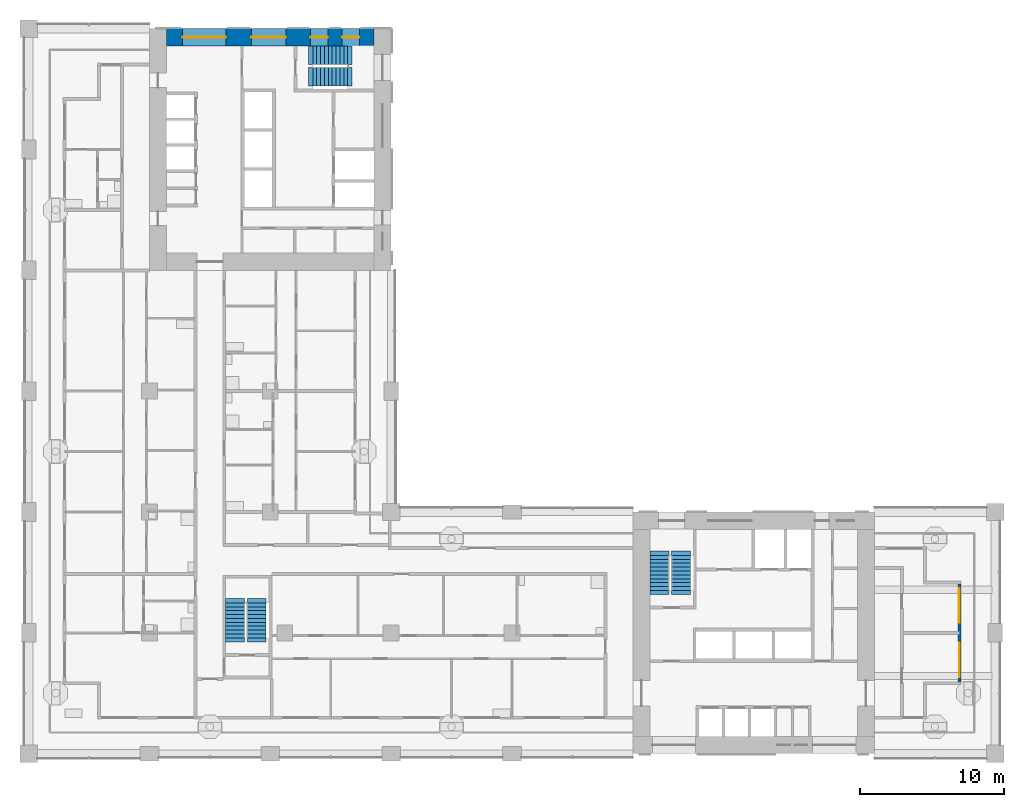
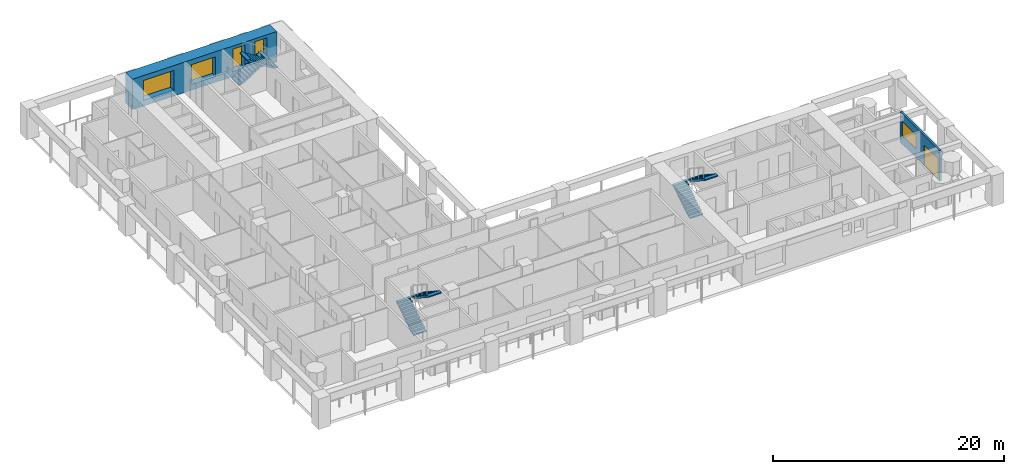
# One storey, part 8 of 18: 6 stair flights, 5 windows, 2 walls, 1 door, 6 openings, 3 elements without a shape of their own.
"""IFC4 building model written with IfcOpenShell, lengths in metres."""

import ifcopenshell
import ifcopenshell.guid

model = None  # the IFC model being written
_history = None  # IfcOwnerHistory: only IFC2X3 demands one
_inside = {}  # id of a spatial element -> (the spatial element, [elements in it])
_under = {}  # id of a project, library or spatial element -> (it, [spatial elements below it])
_declared = {}  # id of a project -> (the project, [libraries it declares])
_typed = {}  # id of a type object -> (the type object, [elements of that type])
_made_of = {}  # id of a material, layer set ... -> (it, [elements and type objects made of it])


def new_model(schema):
    """Start an empty IFC model of exactly this schema.

    Asked for "IFC4X3", IfcOpenShell would pick the latest addendum, in which some entities
    have other attributes; the version numbers below select the first issue.
    IFC2X3 requires an IfcOwnerHistory on every rooted entity: one is made here for all.
    """
    global model, _history
    if schema == "IFC4X3":
        model = ifcopenshell.file(schema_version=(4, 3, 0, 0))
    else:
        model = ifcopenshell.file(schema=schema)
    _inside.clear()
    _under.clear()
    _declared.clear()
    _typed.clear()
    _made_of.clear()
    _history = None
    if model.schema == "IFC2X3":
        org = make("IfcOrganization", Name="unknown")
        user = make(
            "IfcPersonAndOrganization",
            ThePerson=make("IfcPerson", FamilyName="unknown"),
            TheOrganization=org,
        )
        app = make(
            "IfcApplication",
            ApplicationDeveloper=org,
            Version="unknown",
            ApplicationFullName="unknown",
            ApplicationIdentifier="unknown",
        )
        _history = make(
            "IfcOwnerHistory",
            OwningUser=user,
            OwningApplication=app,
            ChangeAction="ADDED",
            CreationDate=0,
        )
    return model


def make(cls, **values):
    """One entity of the class cls with the attributes given. An attribute that is None is left unset."""
    return model.create_entity(
        cls, **{name: value for name, value in values.items() if value is not None}
    )


def rooted(cls, **values):
    """An entity with a GlobalId (a new one), such as an element, a storey or a relation."""
    return make(cls, GlobalId=ifcopenshell.guid.new(), OwnerHistory=_history, **values)


def si_unit(unit_type, name, prefix=None):
    """IfcSIUnit, for example si_unit("LENGTHUNIT", "METRE", prefix="MILLI")."""
    return make("IfcSIUnit", UnitType=unit_type, Prefix=prefix, Name=name)


def assignment(units):
    """IfcUnitAssignment: the units of a project."""
    return None if units is None else make("IfcUnitAssignment", Units=units)


def point(xyz):
    """IfcCartesianPoint."""
    return None if xyz is None else make("IfcCartesianPoint", Coordinates=xyz)


def direction(xyz):
    """IfcDirection."""
    return None if xyz is None else make("IfcDirection", DirectionRatios=xyz)


def frame(location, z_axis=None, x_axis=None):
    """IfcAxis2Placement3D, a coordinate frame: its origin and axes. An axis left out is left unset."""
    return make(
        "IfcAxis2Placement3D",
        Location=point(location),
        Axis=direction(z_axis),
        RefDirection=direction(x_axis),
    )


def frame_2d(location, x_axis=None):
    """IfcAxis2Placement2D, a coordinate frame in the plane: its origin and x axis."""
    return make(
        "IfcAxis2Placement2D", Location=point(location), RefDirection=direction(x_axis)
    )


def origin():
    """The frame at (0, 0, 0) with its axes left unset."""
    return frame((0.0, 0.0, 0.0))


def place(relative_to, where):
    """IfcLocalPlacement: puts the frame where relative to a parent placement (None: the world)."""
    return make(
        "IfcLocalPlacement", PlacementRelTo=relative_to, RelativePlacement=where
    )


def context(
    kind, dimensions, precision=None, world=None, true_north=None, identifier=None
):
    """IfcGeometricRepresentationContext, for example the 3D "Model" context."""
    return make(
        "IfcGeometricRepresentationContext",
        ContextIdentifier=identifier,
        ContextType=kind,
        CoordinateSpaceDimension=dimensions,
        Precision=precision,
        WorldCoordinateSystem=world,
        TrueNorth=true_north,
    )


def subcontext(parent, identifier, kind, view, scale=None):
    """IfcGeometricRepresentationSubContext, for example "Body" below "Model"."""
    return make(
        "IfcGeometricRepresentationSubContext",
        ContextIdentifier=identifier,
        ContextType=kind,
        ParentContext=parent,
        TargetScale=scale,
        TargetView=view,
    )


def project(units=None, contexts=None):
    """IfcProject with its units and contexts."""
    return rooted(
        "IfcProject",
        Name="project",
        RepresentationContexts=contexts,
        UnitsInContext=assignment(units),
    )


def spatial(cls, under=None, at=None, **own):
    """A site, building, storey or space (cls), placed at a placement, below another one or the project."""
    s = rooted(cls, ObjectPlacement=at, **own)
    if under is not None:
        _under.setdefault(under.id(), (under, []))[1].append(s)
    return s


def polyline(points):
    """IfcPolyline through the points."""
    return make("IfcPolyline", Points=[point(p) for p in points])


def profile(cls, at=None, kind="AREA", **sizes):
    """A parametric profile (cls). Its sizes go by their IFC names, for example OverallWidth=200.0."""
    return make(cls, ProfileType=kind, Position=at, **sizes)


def rectangle(**sizes):
    """IfcRectangleProfileDef."""
    return profile("IfcRectangleProfileDef", **sizes)


def outline(outer, holes=None, kind="AREA"):
    """IfcArbitraryClosedProfileDef: a profile drawn as a closed curve; with holes, ...WithVoids."""
    if holes is None:
        return make("IfcArbitraryClosedProfileDef", ProfileType=kind, OuterCurve=outer)
    return make(
        "IfcArbitraryProfileDefWithVoids",
        ProfileType=kind,
        OuterCurve=outer,
        InnerCurves=holes,
    )


def extrude(swept, where, along, depth):
    """IfcExtrudedAreaSolid: the profile swept, set in the frame where, extruded along a direction by depth."""
    return make(
        "IfcExtrudedAreaSolid",
        SweptArea=swept,
        Position=where,
        ExtrudedDirection=direction(along),
        Depth=depth,
    )


def shape(context_of_items, identifier, shape_type, items):
    """IfcShapeRepresentation: the items that make up one representation, for example the "Body"."""
    return make(
        "IfcShapeRepresentation",
        ContextOfItems=context_of_items,
        RepresentationIdentifier=identifier,
        RepresentationType=shape_type,
        Items=items,
    )


def material(Name=None, Category=None):
    """IfcMaterial."""
    return make("IfcMaterial", Name=Name, Category=Category)


def layer(
    of_material, thickness, ventilated=None, Name=None, Category=None, Priority=None
):
    """IfcMaterialLayer: one layer of a wall or slab, of a material (None: an air gap)."""
    return make(
        "IfcMaterialLayer",
        Material=of_material,
        LayerThickness=thickness,
        IsVentilated=ventilated,
        Name=Name,
        Category=Category,
        Priority=Priority,
    )


def layer_set(layers, Name=None):
    """IfcMaterialLayerSet."""
    return make("IfcMaterialLayerSet", MaterialLayers=layers, LayerSetName=Name)


def made_of(thing, what):
    """Note that an element or type object is made of a material, layer set ...; save() writes the relation."""
    if what is not None:
        _made_of.setdefault(what.id(), (what, []))[1].append(thing)
    return thing


def type_object(cls, material=None, **own):
    """A type object (cls), such as IfcWallType, which elements share."""
    return made_of(rooted(cls, **own), material)


def element(
    cls,
    number,
    at=None,
    inside=None,
    cuts=None,
    type_object=None,
    material=None,
    context=None,
    identifier="Body",
    shape_type=None,
    held_by="IfcProductDefinitionShape",
    body=None,
    shapes=None,
    **own,
):
    """One element of the class cls, such as IfcWall. Its Tag is "e" and its number.

    at: its placement. inside: the storey or other place that contains it. cuts: it is an
    opening in that element (IfcRelVoidsElement). A single representation is given by context,
    identifier, shape_type and body (its items); several are given by shapes. held_by: the class
    of the entity that holds the representations. save() writes the other relations.
    """
    e = rooted(cls, Tag="e%d" % number, ObjectPlacement=at, **own)
    if body is not None:
        shapes = [shape(context, identifier, shape_type, body)]
    if shapes is not None:
        e.Representation = make(held_by, Representations=shapes)
    if inside is not None:
        _inside.setdefault(inside.id(), (inside, []))[1].append(e)
    if cuts is not None:
        rooted(
            "IfcRelVoidsElement", RelatingBuildingElement=cuts, RelatedOpeningElement=e
        )
    if type_object is not None:
        _typed.setdefault(type_object.id(), (type_object, []))[1].append(e)
    return made_of(e, material)


def fill(opening, filler):
    """IfcRelFillsElement: the door or window that sits in an opening."""
    return rooted(
        "IfcRelFillsElement",
        RelatingOpeningElement=opening,
        RelatedBuildingElement=filler,
    )


def aggregate(whole, parts):
    """IfcRelAggregates: a whole, such as a stair, and the parts it consists of."""
    return rooted("IfcRelAggregates", RelatingObject=whole, RelatedObjects=parts)


def save(model, path):
    """Write the relations noted so far, then the file.

    IfcRelAggregates (storeys below a building ...), IfcRelContainedInSpatialStructure (elements
    in a storey), IfcRelDefinesByType, IfcRelAssociatesMaterial and IfcRelDeclares: one each for
    every whole, place, type object, material and project.
    """
    for whole, parts in _under.values():
        aggregate(whole, parts)
    for where, things in _inside.values():
        rooted(
            "IfcRelContainedInSpatialStructure",
            RelatedElements=things,
            RelatingStructure=where,
        )
    for kind, things in _typed.values():
        rooted("IfcRelDefinesByType", RelatedObjects=things, RelatingType=kind)
    for what, things in _made_of.values():
        rooted("IfcRelAssociatesMaterial", RelatedObjects=things, RelatingMaterial=what)
    for by, libraries in _declared.values():
        rooted("IfcRelDeclares", RelatingContext=by, RelatedDefinitions=libraries)
    model.write(path)


model = new_model("IFC4")

# Units and contexts
model_context = context("Model", 3, precision=1e-05, world=origin(), true_north=direction((0.0, 1.0)))
body_context = subcontext(model_context, "Body", "Model", "MODEL_VIEW")
ifc_project = project(units=[si_unit("LENGTHUNIT", "METRE"), si_unit("AREAUNIT", "SQUARE_METRE"), si_unit("VOLUMEUNIT", "CUBIC_METRE"), si_unit("PLANEANGLEUNIT", "RADIAN"), si_unit("MASSUNIT", "GRAM", prefix="KILO")], contexts=[model_context])

# Site, building, storey
site_placement = place(None, origin())
site = spatial("IfcSite", under=ifc_project, at=site_placement, CompositionType="ELEMENT")
building_placement = place(site_placement, origin())
building = spatial("IfcBuilding", under=site, at=building_placement, Name="Vermilion Gate Residences", CompositionType="ELEMENT")
storey_placement = place(building_placement, frame((0.0, 0.0, 81.199951171875)))
storey = spatial("IfcBuildingStorey", under=building, at=storey_placement, Name="L19", CompositionType="ELEMENT", Elevation=81.199951171875)

# Wall, openings, door, window
ifc_material_1 = material(Name="Insulated steel stud wall with terracotta rainscreen", Category="masonry")
ifc_layer_1 = layer(ifc_material_1, 0.199951171875)
ifc_layer_set_1 = layer_set([ifc_layer_1], Name="EXTERNAL WALL 200 TERRACOTTA RAINSCREEN")
wall_type_1 = type_object("IfcWallType", Name="EXTERNAL WALL 200 TERRACOTTA RAINSCREEN", PredefinedType="SOLIDWALL", material=ifc_layer_set_1)
wall_1_placement = place(storey_placement, frame((64.699951171875, 13.39990234375, 0.0), z_axis=(0.0, 0.0, 1.0), x_axis=(0.0, 1.0, 0.0)))
wall_1 = element("IfcWall", 1, at=wall_1_placement, inside=storey, type_object=wall_type_1, Name="External wall", PredefinedType="SOLIDWALL", context=body_context, shape_type="SweptSolid", body=[
    extrude(rectangle(XDim=6.800048828125, YDim=0.199951171875, at=frame_2d((3.39990234375, 0.0))), origin(), (0.0, 0.0, 1.0), 3.219970703125),
])
opening_1_placement = place(wall_1_placement, frame((4.10009765625, 0.0, 0.89990234375)))
opening_1 = element("IfcOpeningElement", 2, at=opening_1_placement, cuts=wall_1, Name="Opening WE19022", PredefinedType="OPENING", context=body_context, shape_type="SweptSolid", body=[
    extrude(rectangle(XDim=2.39990234375, YDim=1.5, at=frame_2d((1.199951171875, 0.75))), frame((0.0, 0.10986328125, 0.0), z_axis=(0.0, -1.0, 0.0), x_axis=(1.0, 0.0, 0.0)), (0.0, 0.0, 1.0), 0.219970703125),
])
opening_2_placement = place(wall_1_placement, frame((0.300048828125, 0.0, 0.0)))
opening_2 = element("IfcOpeningElement", 3, at=opening_2_placement, cuts=wall_1, Name="Opening DE19028", PredefinedType="OPENING", context=body_context, shape_type="SweptSolid", body=[
    extrude(rectangle(XDim=2.39990234375, YDim=2.199951171875, at=frame_2d((1.199951171875, 1.10009765625))), frame((0.0, 0.10986328125, 0.0), z_axis=(0.0, -1.0, 0.0), x_axis=(1.0, 0.0, 0.0)), (0.0, 0.0, 1.0), 0.219970703125),
])
ifc_material_2 = material(Name="Aluminium and clear glass", Category="aluminium")
door_type = type_object("IfcDoorType", Name="SLIDING GLAZED DOOR 2400 X 2200", OperationType="DOUBLE_DOOR_SLIDING", PredefinedType="DOOR", material=ifc_material_2)
door_placement = place(opening_2_placement, origin())
door = element("IfcDoor", 4, at=door_placement, inside=storey, type_object=door_type, Name="Loggia sliding door", OperationType="DOUBLE_DOOR_SLIDING", OverallHeight=2.199951171875, OverallWidth=2.39990234375, PredefinedType="DOOR", context=body_context, shape_type="SweptSolid", body=[
    extrude(rectangle(XDim=2.39990234375, YDim=2.199951171875, at=frame_2d((1.199951171875, 1.10009765625))), frame((0.0, 0.02490234375, 0.0), z_axis=(0.0, -1.0, 0.0), x_axis=(1.0, 0.0, 0.0)), (0.0, 0.0, 1.0), 0.050048828125),
])
fill(opening_2, door)
ifc_material_3 = material(Name="Aluminium and clear glass", Category="aluminium")
window_type_1 = type_object("IfcWindowType", Name="WINDOW 2400 X 1500", PartitioningType="SINGLE_PANEL", PredefinedType="WINDOW", material=ifc_material_3)
window_1_placement = place(opening_1_placement, origin())
window_1 = element("IfcWindow", 5, at=window_1_placement, inside=storey, type_object=window_type_1, Name="Window", OverallHeight=1.5, OverallWidth=2.39990234375, PartitioningType="SINGLE_PANEL", PredefinedType="WINDOW", context=body_context, shape_type="SweptSolid", body=[
    extrude(rectangle(XDim=2.39990234375, YDim=1.5, at=frame_2d((1.199951171875, 0.75))), frame((0.0, 0.030029296875, 0.0), z_axis=(0.0, -1.0, 0.0), x_axis=(1.0, 0.0, 0.0)), (0.0, 0.0, 1.0), 0.06005859375),
])
fill(opening_1, window_1)

# Wall, openings, windows
ifc_material_4 = material(Name="Concrete C70 red-oxide pigmented", Category="concrete")
ifc_layer_2 = layer(ifc_material_4, 1.199951171875)
ifc_layer_set_2 = layer_set([ifc_layer_2], Name="RC CORE WALL 1200 C70 RED OXIDE")
wall_type_2 = type_object("IfcWallType", Name="RC CORE WALL 1200 C70 RED OXIDE", PredefinedType="SHEAR", material=ifc_layer_set_2)
wall_2_placement = place(storey_placement, frame((9.60009765625, 58.199951171875, 0.0), z_axis=(0.0, 0.0, 1.0), x_axis=(1.0, 0.0, 0.0)))
wall_2 = element("IfcWall", 6, at=wall_2_placement, inside=storey, type_object=wall_type_2, Name="Core wall B19-OUT-FR", PredefinedType="SHEAR", context=body_context, shape_type="SweptSolid", body=[
    extrude(rectangle(XDim=14.39990234375, YDim=1.199951171875, at=frame_2d((7.199951171875, 0.0))), origin(), (0.0, 0.0, 1.0), 3.219970703125),
])
opening_3_placement = place(wall_2_placement, frame((1.10498046875, 0.0, 0.60009765625)))
opening_3 = element("IfcOpeningElement", 7, at=opening_3_placement, cuts=wall_2, Name="Opening WKB1905", PredefinedType="OPENING", context=body_context, shape_type="SweptSolid", body=[
    extrude(rectangle(XDim=3.0, YDim=2.10009765625, at=frame_2d((1.5, 1.050048828125))), frame((0.0, 0.60986328125, 0.0), z_axis=(0.0, -1.0, 0.0), x_axis=(1.0, 0.0, 0.0)), (0.0, 0.0, 1.0), 1.219970703125),
])
opening_4_placement = place(wall_2_placement, frame((5.875, 0.0, 0.60009765625)))
opening_4 = element("IfcOpeningElement", 8, at=opening_4_placement, cuts=wall_2, Name="Opening WKB1906", PredefinedType="OPENING", context=body_context, shape_type="SweptSolid", body=[
    extrude(rectangle(XDim=2.39990234375, YDim=2.10009765625, at=frame_2d((1.199951171875, 1.050048828125))), frame((0.0, 0.60986328125, 0.0), z_axis=(0.0, -1.0, 0.0), x_axis=(1.0, 0.0, 0.0)), (0.0, 0.0, 1.0), 1.219970703125),
])
opening_5_placement = place(wall_2_placement, frame((9.993408203125, 0.0, 0.5)))
opening_5 = element("IfcOpeningElement", 9, at=opening_5_placement, cuts=wall_2, Name="Opening WKB1907", PredefinedType="OPENING", context=body_context, shape_type="SweptSolid", body=[
    extrude(rectangle(XDim=1.199951171875, YDim=2.39990234375, at=frame_2d((0.60009765625, 1.199951171875))), frame((0.0, 0.60986328125, 0.0), z_axis=(0.0, -1.0, 0.0), x_axis=(1.0, 0.0, 0.0)), (0.0, 0.0, 1.0), 1.219970703125),
])
opening_6_placement = place(wall_2_placement, frame((12.19677734375, 0.0, 0.5)))
opening_6 = element("IfcOpeningElement", 10, at=opening_6_placement, cuts=wall_2, Name="Opening WKB1908", PredefinedType="OPENING", context=body_context, shape_type="SweptSolid", body=[
    extrude(rectangle(XDim=1.199951171875, YDim=2.39990234375, at=frame_2d((0.60009765625, 1.199951171875))), frame((0.0, 0.60986328125, 0.0), z_axis=(0.0, -1.0, 0.0), x_axis=(1.0, 0.0, 0.0)), (0.0, 0.0, 1.0), 1.219970703125),
])
ifc_material_5 = material(Name="Aluminium and clear glass", Category="aluminium")
window_type_2 = type_object("IfcWindowType", Name="CORE LOBBY WINDOW 2400 X 2100", PartitioningType="SINGLE_PANEL", PredefinedType="WINDOW", material=ifc_material_5)
window_2_placement = place(opening_4_placement, origin())
window_2 = element("IfcWindow", 11, at=window_2_placement, inside=storey, type_object=window_type_2, Name="Core lobby window", OverallHeight=2.10009765625, OverallWidth=2.39990234375, PartitioningType="SINGLE_PANEL", PredefinedType="WINDOW", context=body_context, shape_type="SweptSolid", body=[
    extrude(rectangle(XDim=2.39990234375, YDim=2.10009765625, at=frame_2d((1.199951171875, 1.050048828125))), frame((0.0, 0.030029296875, 0.0), z_axis=(0.0, -1.0, 0.0), x_axis=(1.0, 0.0, 0.0)), (0.0, 0.0, 1.0), 0.06005859375),
])
fill(opening_4, window_2)
ifc_material_6 = material(Name="Aluminium and clear glass", Category="aluminium")
window_type_3 = type_object("IfcWindowType", Name="CORE LOBBY WINDOW 3000 X 2100", PartitioningType="SINGLE_PANEL", PredefinedType="WINDOW", material=ifc_material_6)
window_3_placement = place(opening_3_placement, origin())
window_3 = element("IfcWindow", 12, at=window_3_placement, inside=storey, type_object=window_type_3, Name="Core lobby window", OverallHeight=2.10009765625, OverallWidth=3.0, PartitioningType="SINGLE_PANEL", PredefinedType="WINDOW", context=body_context, shape_type="SweptSolid", body=[
    extrude(rectangle(XDim=3.0, YDim=2.10009765625, at=frame_2d((1.5, 1.050048828125))), frame((0.0, 0.030029296875, 0.0), z_axis=(0.0, -1.0, 0.0), x_axis=(1.0, 0.0, 0.0)), (0.0, 0.0, 1.0), 0.06005859375),
])
fill(opening_3, window_3)
ifc_material_7 = material(Name="Aluminium and clear glass", Category="aluminium")
window_type_4 = type_object("IfcWindowType", Name="CORE STAIR WINDOW 1200 X 2400", PartitioningType="SINGLE_PANEL", PredefinedType="WINDOW", material=ifc_material_7)
window_4_placement = place(opening_5_placement, origin())
window_4 = element("IfcWindow", 13, at=window_4_placement, inside=storey, type_object=window_type_4, Name="Core stair window", OverallHeight=2.39990234375, OverallWidth=1.199951171875, PartitioningType="SINGLE_PANEL", PredefinedType="WINDOW", context=body_context, shape_type="SweptSolid", body=[
    extrude(rectangle(XDim=1.199951171875, YDim=2.39990234375, at=frame_2d((0.60009765625, 1.199951171875))), frame((0.0, 0.030029296875, 0.0), z_axis=(0.0, -1.0, 0.0), x_axis=(1.0, 0.0, 0.0)), (0.0, 0.0, 1.0), 0.06005859375),
])
fill(opening_5, window_4)
window_5_placement = place(opening_6_placement, origin())
window_5 = element("IfcWindow", 14, at=window_5_placement, inside=storey, type_object=window_type_4, Name="Core stair window", OverallHeight=2.39990234375, OverallWidth=1.199951171875, PartitioningType="SINGLE_PANEL", PredefinedType="WINDOW", context=body_context, shape_type="SweptSolid", body=[
    extrude(rectangle(XDim=1.199951171875, YDim=2.39990234375, at=frame_2d((0.60009765625, 1.199951171875))), frame((0.0, 0.030029296875, 0.0), z_axis=(0.0, -1.0, 0.0), x_axis=(1.0, 0.0, 0.0)), (0.0, 0.0, 1.0), 0.06005859375),
])
fill(opening_6, window_5)

# Stair, stair flights
ifc_material_8 = material(Name="Concrete C50", Category="concrete")
stair_type = type_object("IfcStairType", Name="SPECIAL ESCAPE STAIR 1300", PredefinedType="HALF_TURN_STAIR", material=ifc_material_8)
stair_1_placement = place(storey_placement, origin())
stair_1 = element("IfcStair", 15, at=stair_1_placement, inside=storey, type_object=stair_type, Name="Special escape stair STA1-19", PredefinedType="HALF_TURN_STAIR")
ifc_material_9 = material(Name="Concrete C50", Category="concrete")
stair_flight_type = type_object("IfcStairFlightType", Name="STAIR FLIGHT 1300 RC C50", PredefinedType="STRAIGHT", material=ifc_material_9)
stair_flight_1_placement = place(storey_placement, frame((43.85009765625, 19.75, 0.0), z_axis=(0.0, 0.0, 1.0), x_axis=(0.0, 1.0, 0.0)))
stair_flight_1 = element("IfcStairFlight", 16, at=stair_flight_1_placement, type_object=stair_flight_type, Name="STA1-19 flight 1", NumberOfRisers=10, NumberOfTreads=9, PredefinedType="STRAIGHT", RiserHeight=0.175, TreadLength=0.27, context=body_context, shape_type="SweptSolid", body=[
    extrude(outline(polyline([(-0.300048828125, -0.14990234375), (-0.300048828125, -0.030029296875), (0.0, 0.0), (0.0, 0.175048828125), (0.27001953125, 0.175048828125), (0.27001953125, 0.35009765625), (0.5400390625, 0.35009765625), (0.5400390625, 0.52490234375), (0.81005859375, 0.52490234375), (0.81005859375, 0.699951171875), (1.080078125, 0.699951171875), (1.080078125, 0.875), (1.35009765625, 0.875), (1.35009765625, 1.050048828125), (1.6201171875, 1.050048828125), (1.6201171875, 1.22509765625), (1.889892578125, 1.22509765625), (1.889892578125, 1.39990234375), (2.159912109375, 1.39990234375), (2.159912109375, 1.574951171875), (2.429931640625, 1.574951171875), (2.429931640625, 1.75), (2.72998046875, 1.719970703125), (2.72998046875, 1.60009765625), (2.429931640625, 1.396484375), (0.275634765625, 0.0), (-0.300048828125, -0.14990234375)])), frame((0.0, 0.64990234375, 0.0), z_axis=(0.0, -1.0, 0.0), x_axis=(1.0, 0.0, 0.0)), (0.0, 0.0, 1.0), 1.300048828125),
])
stair_flight_2_placement = place(storey_placement, frame((45.35009765625, 22.179931640625, 1.75), z_axis=(0.0, 0.0, 1.0), x_axis=(0.0, -1.0, 0.0)))
stair_flight_2 = element("IfcStairFlight", 17, at=stair_flight_2_placement, type_object=stair_flight_type, Name="STA1-19 flight 2", NumberOfRisers=10, NumberOfTreads=9, PredefinedType="STRAIGHT", RiserHeight=0.175, TreadLength=0.27, context=body_context, shape_type="SweptSolid", body=[
    extrude(outline(polyline([(-0.300048828125, -0.14990234375), (-0.300048828125, -0.030029296875), (0.0, 0.0), (0.0, 0.175048828125), (0.27001953125, 0.175048828125), (0.27001953125, 0.35009765625), (0.5400390625, 0.35009765625), (0.5400390625, 0.52490234375), (0.81005859375, 0.52490234375), (0.81005859375, 0.699951171875), (1.080078125, 0.699951171875), (1.080078125, 0.875), (1.35009765625, 0.875), (1.35009765625, 1.050048828125), (1.6201171875, 1.050048828125), (1.6201171875, 1.22509765625), (1.889892578125, 1.22509765625), (1.889892578125, 1.39990234375), (2.159912109375, 1.39990234375), (2.159912109375, 1.574951171875), (2.429931640625, 1.574951171875), (2.429931640625, 1.75), (2.72998046875, 1.719970703125), (2.72998046875, 1.60009765625), (2.429931640625, 1.396484375), (0.275634765625, 0.0), (-0.300048828125, -0.14990234375)])), frame((0.0, 0.64990234375, 0.0), z_axis=(0.0, -1.0, 0.0), x_axis=(1.0, 0.0, 0.0)), (0.0, 0.0, 1.0), 1.300048828125),
])
aggregate(stair_1, [stair_flight_1, stair_flight_2])

stair_2_placement = place(storey_placement, origin())
stair_2 = element("IfcStair", 18, at=stair_2_placement, inside=storey, type_object=stair_type, Name="Special escape stair STB1-19", PredefinedType="HALF_TURN_STAIR")
stair_flight_3_placement = place(storey_placement, frame((19.75, 56.949951171875, 0.0), z_axis=(0.0, 0.0, 1.0), x_axis=(1.0, 0.0, 0.0)))
stair_flight_3 = element("IfcStairFlight", 19, at=stair_flight_3_placement, type_object=stair_flight_type, Name="STB1-19 flight 1", NumberOfRisers=10, NumberOfTreads=9, PredefinedType="STRAIGHT", RiserHeight=0.175, TreadLength=0.27, context=body_context, shape_type="SweptSolid", body=[
    extrude(outline(polyline([(-0.300048828125, -0.14990234375), (-0.300048828125, -0.030029296875), (0.0, 0.0), (0.0, 0.175048828125), (0.27001953125, 0.175048828125), (0.27001953125, 0.35009765625), (0.5400390625, 0.35009765625), (0.5400390625, 0.52490234375), (0.81005859375, 0.52490234375), (0.81005859375, 0.699951171875), (1.080078125, 0.699951171875), (1.080078125, 0.875), (1.35009765625, 0.875), (1.35009765625, 1.050048828125), (1.6201171875, 1.050048828125), (1.6201171875, 1.22509765625), (1.889892578125, 1.22509765625), (1.889892578125, 1.39990234375), (2.159912109375, 1.39990234375), (2.159912109375, 1.574951171875), (2.429931640625, 1.574951171875), (2.429931640625, 1.75), (2.72998046875, 1.719970703125), (2.72998046875, 1.60009765625), (2.429931640625, 1.396484375), (0.275634765625, 0.0), (-0.300048828125, -0.14990234375)])), frame((0.0, 0.64990234375, 0.0), z_axis=(0.0, -1.0, 0.0), x_axis=(1.0, 0.0, 0.0)), (0.0, 0.0, 1.0), 1.300048828125),
])
stair_flight_4_placement = place(storey_placement, frame((22.179931640625, 55.449951171875, 1.75), z_axis=(0.0, 0.0, 1.0), x_axis=(-1.0, 0.0, 0.0)))
stair_flight_4 = element("IfcStairFlight", 20, at=stair_flight_4_placement, type_object=stair_flight_type, Name="STB1-19 flight 2", NumberOfRisers=10, NumberOfTreads=9, PredefinedType="STRAIGHT", RiserHeight=0.175, TreadLength=0.27, context=body_context, shape_type="SweptSolid", body=[
    extrude(outline(polyline([(-0.300048828125, -0.14990234375), (-0.300048828125, -0.030029296875), (0.0, 0.0), (0.0, 0.175048828125), (0.27001953125, 0.175048828125), (0.27001953125, 0.35009765625), (0.5400390625, 0.35009765625), (0.5400390625, 0.52490234375), (0.81005859375, 0.52490234375), (0.81005859375, 0.699951171875), (1.080078125, 0.699951171875), (1.080078125, 0.875), (1.35009765625, 0.875), (1.35009765625, 1.050048828125), (1.6201171875, 1.050048828125), (1.6201171875, 1.22509765625), (1.889892578125, 1.22509765625), (1.889892578125, 1.39990234375), (2.159912109375, 1.39990234375), (2.159912109375, 1.574951171875), (2.429931640625, 1.574951171875), (2.429931640625, 1.75), (2.72998046875, 1.719970703125), (2.72998046875, 1.60009765625), (2.429931640625, 1.396484375), (0.275634765625, 0.0), (-0.300048828125, -0.14990234375)])), frame((0.0, 0.64990234375, 0.0), z_axis=(0.0, -1.0, 0.0), x_axis=(1.0, 0.0, 0.0)), (0.0, 0.0, 1.0), 1.300048828125),
])
aggregate(stair_2, [stair_flight_3, stair_flight_4])

stair_3_placement = place(storey_placement, origin())
stair_3 = element("IfcStair", 21, at=stair_3_placement, inside=storey, type_object=stair_type, Name="Special escape stair STC1-19", PredefinedType="HALF_TURN_STAIR")
stair_flight_5_placement = place(storey_placement, frame((14.35009765625, 16.449951171875, 0.0), z_axis=(0.0, 0.0, 1.0), x_axis=(0.0, 1.0, 0.0)))
stair_flight_5 = element("IfcStairFlight", 22, at=stair_flight_5_placement, type_object=stair_flight_type, Name="STC1-19 flight 1", NumberOfRisers=10, NumberOfTreads=9, PredefinedType="STRAIGHT", RiserHeight=0.175, TreadLength=0.27, context=body_context, shape_type="SweptSolid", body=[
    extrude(outline(polyline([(-0.300048828125, -0.14990234375), (-0.300048828125, -0.030029296875), (0.0, 0.0), (0.0, 0.175048828125), (0.27001953125, 0.175048828125), (0.27001953125, 0.35009765625), (0.5400390625, 0.35009765625), (0.5400390625, 0.52490234375), (0.81005859375, 0.52490234375), (0.81005859375, 0.699951171875), (1.080078125, 0.699951171875), (1.080078125, 0.875), (1.35009765625, 0.875), (1.35009765625, 1.050048828125), (1.6201171875, 1.050048828125), (1.6201171875, 1.22509765625), (1.889892578125, 1.22509765625), (1.889892578125, 1.39990234375), (2.159912109375, 1.39990234375), (2.159912109375, 1.574951171875), (2.429931640625, 1.574951171875), (2.429931640625, 1.75), (2.72998046875, 1.719970703125), (2.72998046875, 1.60009765625), (2.429931640625, 1.396484375), (0.275634765625, 0.0), (-0.300048828125, -0.14990234375)])), frame((0.0, 0.64990234375, 0.0), z_axis=(0.0, -1.0, 0.0), x_axis=(1.0, 0.0, 0.0)), (0.0, 0.0, 1.0), 1.300048828125),
])
stair_flight_6_placement = place(storey_placement, frame((15.85009765625, 18.8798828125, 1.75), z_axis=(0.0, 0.0, 1.0), x_axis=(0.0, -1.0, 0.0)))
stair_flight_6 = element("IfcStairFlight", 23, at=stair_flight_6_placement, type_object=stair_flight_type, Name="STC1-19 flight 2", NumberOfRisers=10, NumberOfTreads=9, PredefinedType="STRAIGHT", RiserHeight=0.175, TreadLength=0.27, context=body_context, shape_type="SweptSolid", body=[
    extrude(outline(polyline([(-0.300048828125, -0.14990234375), (-0.300048828125, -0.030029296875), (0.0, 0.0), (0.0, 0.175048828125), (0.27001953125, 0.175048828125), (0.27001953125, 0.35009765625), (0.5400390625, 0.35009765625), (0.5400390625, 0.52490234375), (0.81005859375, 0.52490234375), (0.81005859375, 0.699951171875), (1.080078125, 0.699951171875), (1.080078125, 0.875), (1.35009765625, 0.875), (1.35009765625, 1.050048828125), (1.6201171875, 1.050048828125), (1.6201171875, 1.22509765625), (1.889892578125, 1.22509765625), (1.889892578125, 1.39990234375), (2.159912109375, 1.39990234375), (2.159912109375, 1.574951171875), (2.429931640625, 1.574951171875), (2.429931640625, 1.75), (2.72998046875, 1.719970703125), (2.72998046875, 1.60009765625), (2.429931640625, 1.396484375), (0.275634765625, 0.0), (-0.300048828125, -0.14990234375)])), frame((0.0, 0.64990234375, 0.0), z_axis=(0.0, -1.0, 0.0), x_axis=(1.0, 0.0, 0.0)), (0.0, 0.0, 1.0), 1.300048828125),
])
aggregate(stair_3, [stair_flight_5, stair_flight_6])

save(model, "model.ifc")
